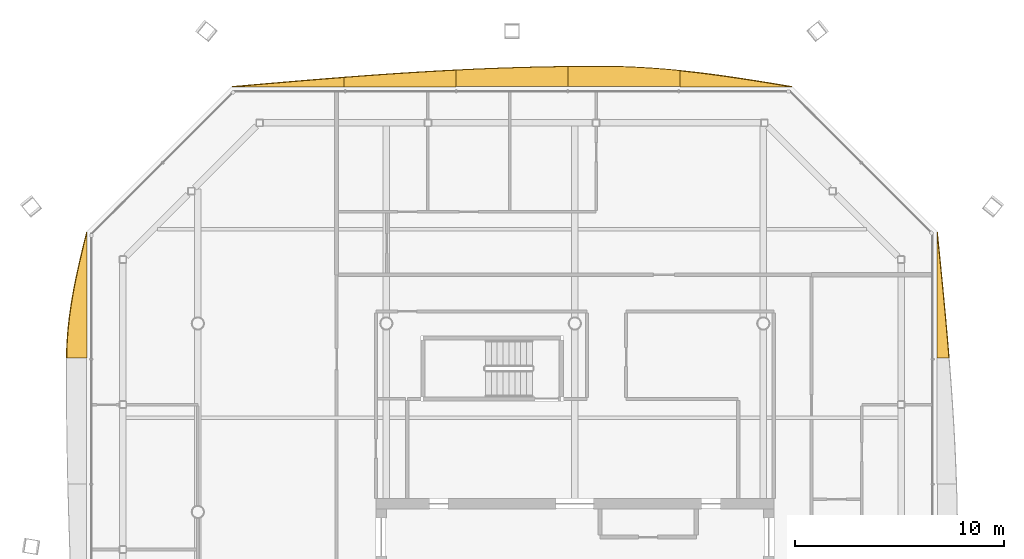
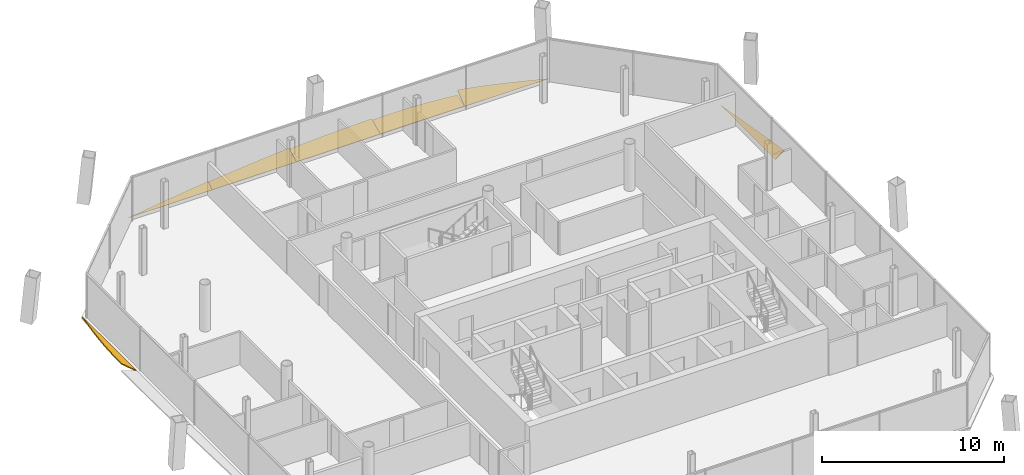
# One storey, part 20 of 20: 7 shading devices.
"""IFC4 building model written with IfcOpenShell, lengths in metres."""

import ifcopenshell
import ifcopenshell.guid

model = None  # the IFC model being written
_history = None  # IfcOwnerHistory: only IFC2X3 demands one
_inside = {}  # id of a spatial element -> (the spatial element, [elements in it])
_under = {}  # id of a project, library or spatial element -> (it, [spatial elements below it])
_declared = {}  # id of a project -> (the project, [libraries it declares])
_typed = {}  # id of a type object -> (the type object, [elements of that type])
_made_of = {}  # id of a material, layer set ... -> (it, [elements and type objects made of it])


def new_model(schema):
    """Start an empty IFC model of exactly this schema.

    Asked for "IFC4X3", IfcOpenShell would pick the latest addendum, in which some entities
    have other attributes; the version numbers below select the first issue.
    IFC2X3 requires an IfcOwnerHistory on every rooted entity: one is made here for all.
    """
    global model, _history
    if schema == "IFC4X3":
        model = ifcopenshell.file(schema_version=(4, 3, 0, 0))
    else:
        model = ifcopenshell.file(schema=schema)
    _inside.clear()
    _under.clear()
    _declared.clear()
    _typed.clear()
    _made_of.clear()
    _history = None
    if model.schema == "IFC2X3":
        org = make("IfcOrganization", Name="unknown")
        user = make(
            "IfcPersonAndOrganization",
            ThePerson=make("IfcPerson", FamilyName="unknown"),
            TheOrganization=org,
        )
        app = make(
            "IfcApplication",
            ApplicationDeveloper=org,
            Version="unknown",
            ApplicationFullName="unknown",
            ApplicationIdentifier="unknown",
        )
        _history = make(
            "IfcOwnerHistory",
            OwningUser=user,
            OwningApplication=app,
            ChangeAction="ADDED",
            CreationDate=0,
        )
    return model


def make(cls, **values):
    """One entity of the class cls with the attributes given. An attribute that is None is left unset."""
    return model.create_entity(
        cls, **{name: value for name, value in values.items() if value is not None}
    )


def rooted(cls, **values):
    """An entity with a GlobalId (a new one), such as an element, a storey or a relation."""
    return make(cls, GlobalId=ifcopenshell.guid.new(), OwnerHistory=_history, **values)


def si_unit(unit_type, name, prefix=None):
    """IfcSIUnit, for example si_unit("LENGTHUNIT", "METRE", prefix="MILLI")."""
    return make("IfcSIUnit", UnitType=unit_type, Prefix=prefix, Name=name)


def assignment(units):
    """IfcUnitAssignment: the units of a project."""
    return None if units is None else make("IfcUnitAssignment", Units=units)


def point(xyz):
    """IfcCartesianPoint."""
    return None if xyz is None else make("IfcCartesianPoint", Coordinates=xyz)


def direction(xyz):
    """IfcDirection."""
    return None if xyz is None else make("IfcDirection", DirectionRatios=xyz)


def frame(location, z_axis=None, x_axis=None):
    """IfcAxis2Placement3D, a coordinate frame: its origin and axes. An axis left out is left unset."""
    return make(
        "IfcAxis2Placement3D",
        Location=point(location),
        Axis=direction(z_axis),
        RefDirection=direction(x_axis),
    )


def origin():
    """The frame at (0, 0, 0) with its axes left unset."""
    return frame((0.0, 0.0, 0.0))


def place(relative_to, where):
    """IfcLocalPlacement: puts the frame where relative to a parent placement (None: the world)."""
    return make(
        "IfcLocalPlacement", PlacementRelTo=relative_to, RelativePlacement=where
    )


def context(
    kind, dimensions, precision=None, world=None, true_north=None, identifier=None
):
    """IfcGeometricRepresentationContext, for example the 3D "Model" context."""
    return make(
        "IfcGeometricRepresentationContext",
        ContextIdentifier=identifier,
        ContextType=kind,
        CoordinateSpaceDimension=dimensions,
        Precision=precision,
        WorldCoordinateSystem=world,
        TrueNorth=true_north,
    )


def subcontext(parent, identifier, kind, view, scale=None):
    """IfcGeometricRepresentationSubContext, for example "Body" below "Model"."""
    return make(
        "IfcGeometricRepresentationSubContext",
        ContextIdentifier=identifier,
        ContextType=kind,
        ParentContext=parent,
        TargetScale=scale,
        TargetView=view,
    )


def project(units=None, contexts=None):
    """IfcProject with its units and contexts."""
    return rooted(
        "IfcProject",
        Name="project",
        RepresentationContexts=contexts,
        UnitsInContext=assignment(units),
    )


def spatial(cls, under=None, at=None, **own):
    """A site, building, storey or space (cls), placed at a placement, below another one or the project."""
    s = rooted(cls, ObjectPlacement=at, **own)
    if under is not None:
        _under.setdefault(under.id(), (under, []))[1].append(s)
    return s


def polyline(points):
    """IfcPolyline through the points."""
    return make("IfcPolyline", Points=[point(p) for p in points])


def outline(outer, holes=None, kind="AREA"):
    """IfcArbitraryClosedProfileDef: a profile drawn as a closed curve; with holes, ...WithVoids."""
    if holes is None:
        return make("IfcArbitraryClosedProfileDef", ProfileType=kind, OuterCurve=outer)
    return make(
        "IfcArbitraryProfileDefWithVoids",
        ProfileType=kind,
        OuterCurve=outer,
        InnerCurves=holes,
    )


def extrude(swept, where, along, depth):
    """IfcExtrudedAreaSolid: the profile swept, set in the frame where, extruded along a direction by depth."""
    return make(
        "IfcExtrudedAreaSolid",
        SweptArea=swept,
        Position=where,
        ExtrudedDirection=direction(along),
        Depth=depth,
    )


def shape(context_of_items, identifier, shape_type, items):
    """IfcShapeRepresentation: the items that make up one representation, for example the "Body"."""
    return make(
        "IfcShapeRepresentation",
        ContextOfItems=context_of_items,
        RepresentationIdentifier=identifier,
        RepresentationType=shape_type,
        Items=items,
    )


def material(Name=None, Category=None):
    """IfcMaterial."""
    return make("IfcMaterial", Name=Name, Category=Category)


def layer(
    of_material, thickness, ventilated=None, Name=None, Category=None, Priority=None
):
    """IfcMaterialLayer: one layer of a wall or slab, of a material (None: an air gap)."""
    return make(
        "IfcMaterialLayer",
        Material=of_material,
        LayerThickness=thickness,
        IsVentilated=ventilated,
        Name=Name,
        Category=Category,
        Priority=Priority,
    )


def layer_set(layers, Name=None):
    """IfcMaterialLayerSet."""
    return make("IfcMaterialLayerSet", MaterialLayers=layers, LayerSetName=Name)


def made_of(thing, what):
    """Note that an element or type object is made of a material, layer set ...; save() writes the relation."""
    if what is not None:
        _made_of.setdefault(what.id(), (what, []))[1].append(thing)
    return thing


def type_object(cls, material=None, **own):
    """A type object (cls), such as IfcWallType, which elements share."""
    return made_of(rooted(cls, **own), material)


def element(
    cls,
    number,
    at=None,
    inside=None,
    cuts=None,
    type_object=None,
    material=None,
    context=None,
    identifier="Body",
    shape_type=None,
    held_by="IfcProductDefinitionShape",
    body=None,
    shapes=None,
    **own,
):
    """One element of the class cls, such as IfcWall. Its Tag is "e" and its number.

    at: its placement. inside: the storey or other place that contains it. cuts: it is an
    opening in that element (IfcRelVoidsElement). A single representation is given by context,
    identifier, shape_type and body (its items); several are given by shapes. held_by: the class
    of the entity that holds the representations. save() writes the other relations.
    """
    e = rooted(cls, Tag="e%d" % number, ObjectPlacement=at, **own)
    if body is not None:
        shapes = [shape(context, identifier, shape_type, body)]
    if shapes is not None:
        e.Representation = make(held_by, Representations=shapes)
    if inside is not None:
        _inside.setdefault(inside.id(), (inside, []))[1].append(e)
    if cuts is not None:
        rooted(
            "IfcRelVoidsElement", RelatingBuildingElement=cuts, RelatedOpeningElement=e
        )
    if type_object is not None:
        _typed.setdefault(type_object.id(), (type_object, []))[1].append(e)
    return made_of(e, material)


def aggregate(whole, parts):
    """IfcRelAggregates: a whole, such as a stair, and the parts it consists of."""
    return rooted("IfcRelAggregates", RelatingObject=whole, RelatedObjects=parts)


def save(model, path):
    """Write the relations noted so far, then the file.

    IfcRelAggregates (storeys below a building ...), IfcRelContainedInSpatialStructure (elements
    in a storey), IfcRelDefinesByType, IfcRelAssociatesMaterial and IfcRelDeclares: one each for
    every whole, place, type object, material and project.
    """
    for whole, parts in _under.values():
        aggregate(whole, parts)
    for where, things in _inside.values():
        rooted(
            "IfcRelContainedInSpatialStructure",
            RelatedElements=things,
            RelatingStructure=where,
        )
    for kind, things in _typed.values():
        rooted("IfcRelDefinesByType", RelatedObjects=things, RelatingType=kind)
    for what, things in _made_of.values():
        rooted("IfcRelAssociatesMaterial", RelatedObjects=things, RelatingMaterial=what)
    for by, libraries in _declared.values():
        rooted("IfcRelDeclares", RelatingContext=by, RelatedDefinitions=libraries)
    model.write(path)


model = new_model("IFC4")

# Units and contexts
model_context = context("Model", 3, precision=1e-05, world=origin(), true_north=direction((0.0, 1.0)))
body_context = subcontext(model_context, "Body", "Model", "MODEL_VIEW")
ifc_project = project(units=[si_unit("LENGTHUNIT", "METRE"), si_unit("AREAUNIT", "SQUARE_METRE"), si_unit("VOLUMEUNIT", "CUBIC_METRE"), si_unit("PLANEANGLEUNIT", "RADIAN"), si_unit("MASSUNIT", "GRAM", prefix="KILO")], contexts=[model_context])

# Site, building, storey
site_placement = place(None, origin())
site = spatial("IfcSite", under=ifc_project, at=site_placement, CompositionType="ELEMENT")
building_placement = place(site_placement, origin())
building = spatial("IfcBuilding", under=site, at=building_placement, Name="Tskaro Facet Tower", CompositionType="ELEMENT")
storey_placement = place(building_placement, frame((0.0, 0.0, 194.25)))
storey = spatial("IfcBuildingStorey", under=building, at=storey_placement, Name="L49", CompositionType="ELEMENT", Elevation=194.25)

# Shading devices
ifc_material = material(Name="Bronze anodised aluminium 6063-T6", Category="aluminium")
ifc_layer = layer(ifc_material, 0.06005859375, Name="Bronze anodised aluminium 6063-T6")
ifc_layer_set = layer_set([ifc_layer], Name="Bronze anodised aluminium 6063-T6")
shading_device_type = type_object("IfcShadingDeviceType", Name="Bronze sun blade (FN1)", PredefinedType="USERDEFINED", material=ifc_layer_set)
shading_device_1_placement = place(storey_placement, frame((17.295654296875, 7.354736328125, 0.049072265625), z_axis=(-0.573841057977, -2.0393336e-05, 0.818966690265), x_axis=(-1.1702534e-05, 0.999999999792, 1.6701463e-05)))
element("IfcShadingDevice", 1, at=shading_device_1_placement, inside=storey, type_object=shading_device_type, Name="Fin blade east 5", ObjectType="FIN", PredefinedType="USERDEFINED", context=body_context, shape_type="SweptSolid", body=[
    extrude(outline(polyline([(0.0, 0.0), (6.019287108123325, 0.0), (5.35034179866507, -0.08148324942465533), (4.6816406257542615, -0.16282640093473635), (4.012939453259633, -0.24328952749669747), (3.3439941393357926, -0.32253258815630725), (2.6752929680897037, -0.4003556398739086), (2.0063476558305857, -0.4760786007410387), (1.3376464838083348, -0.5497014707576976), (0.66894530895712, -0.6205441680154224), (-2.4134392083086033e-09, -0.6885468473891304), (0.0, 0.0)])), origin(), (0.0, 0.0, -1.0), 0.06005859375),
])
shading_device_2_placement = place(storey_placement, frame((10.3740234375, 20.29150390625, 0.0458984375), z_axis=(-9.335401e-06, -0.642926786331, 0.765927638443), x_axis=(-0.999999999956, 6.001979e-06, -7.150242e-06)))
element("IfcShadingDevice", 2, at=shading_device_2_placement, inside=storey, type_object=shading_device_type, Name="Fin blade north 1", ObjectType="FIN", PredefinedType="USERDEFINED", context=body_context, shape_type="SweptSolid", body=[
    extrude(outline(polyline([(0.0, 0.0), (5.349609374766891, 4.5312953955654856e-21), (5.349609375226777, -1.001794782750605), (4.68090820284925, -0.9071733768836879), (4.012207032115887, -0.800610325560932), (3.343505858414009, -0.6837953922764923), (2.67480468704425, -0.5581644704394454), (2.006103515419932, -0.4249064003966819), (1.3374023447896843, -0.28645892185180694), (0.6687011708211663, -0.14416783969916233), (0.0, 0.0)])), origin(), (0.0, 0.0, -1.0), 0.06005859375),
])
shading_device_3_placement = place(storey_placement, frame((5.0244140625, 20.3095703125, 0.056396484375), z_axis=(-4.763813e-06, -0.341984665241, 0.939705532982), x_axis=(-0.999999999989, 1.629151e-06, -4.476582e-06)))
element("IfcShadingDevice", 3, at=shading_device_3_placement, inside=storey, type_object=shading_device_type, Name="Fin blade north 2", ObjectType="FIN", PredefinedType="USERDEFINED", context=body_context, shape_type="SweptSolid", body=[
    extrude(outline(polyline([(0.0, 0.0), (5.349609374939298, 0.0), (5.349609374999003, -1.0223299103900079), (4.680908203238901, -1.0288168489427483), (4.012207031374988, -1.0316744415999506), (3.8518066407518075, -1.0316744415999506), (3.343505859006023, -1.0278156754082717), (2.674804687515354, -1.0108995397611986), (2.006103515412323, -0.9807801067125038), (1.3374023438901554, -0.93814563715061), (0.6687011718559364, -0.88307962342543), (-1.9228183058872198e-10, -0.8165832390714408), (0.0, 0.0)])), origin(), (0.0, 0.0, -1.0), 0.06005859375),
])
shading_device_4_placement = place(storey_placement, frame((-0.3251953125, 20.3046875, 0.054443359375), z_axis=(-4.637913e-06, -0.422549154966, 0.906340008836), x_axis=(-0.999999999989, 1.959746e-06, -4.203526e-06)))
element("IfcShadingDevice", 4, at=shading_device_4_placement, inside=storey, type_object=shading_device_type, Name="Fin blade north 3", ObjectType="FIN", PredefinedType="USERDEFINED", context=body_context, shape_type="SweptSolid", body=[
    extrude(outline(polyline([(0.0, 0.0), (5.349609374942465, -1.1328238488913714e-21), (5.349609375215215, -0.874885685877662), (4.680908203423497, -0.9101654807047949), (4.0122070310215925, -0.942274175463325), (3.343505859583549, -0.9707841729074553), (2.674804687056867, -0.9959017958667609), (2.006103515494047, -1.0174207215116666), (1.337402343868838, -1.0354441112569597), (0.6687011717027873, -1.0497506906864187), (2.214527771602574e-11, -1.0602372983852557), (0.0, 0.0)])), origin(), (0.0, 0.0, -1.0), 0.06005859375),
])
shading_device_5_placement = place(storey_placement, frame((-5.6748046875, 20.300048828125, 0.052001953125), z_axis=(-7.040493e-06, -0.499938508571, 0.866060902938), x_axis=(-0.999999999975, 3.519814e-06, -6.097496e-06)))
element("IfcShadingDevice", 5, at=shading_device_5_placement, inside=storey, type_object=shading_device_type, Name="Fin blade north 4", ObjectType="FIN", PredefinedType="USERDEFINED", context=body_context, shape_type="SweptSolid", body=[
    extrude(outline(polyline([(0.0, 0.0), (5.349609374867414, 0.0), (5.349609375429754, -0.5158267864942281), (4.680908202814961, -0.5742416370661689), (4.012207030998777, -0.6308996225375015), (3.3435058588918585, -0.6850443656578686), (2.6748046873535367, -0.7368873070774069), (2.006103516153799, -0.7858835101958961), (1.337402343803998, -0.832155030313283), (0.6687011717927808, -0.8755798121296208), (-1.0986532590344947e-10, -0.9156129190446889), (0.0, 0.0)])), origin(), (0.0, 0.0, -1.0), 0.06005859375),
])
shading_device_6_placement = place(storey_placement, frame((-11.0244140625, 20.295654296875, 0.049072265625), z_axis=(8.897996e-06, -0.57383068244, 0.818973960399), x_axis=(-0.99999999996, -5.105943e-06, 7.287227e-06)))
element("IfcShadingDevice", 6, at=shading_device_6_placement, inside=storey, type_object=shading_device_type, Name="Fin blade north 5", ObjectType="FIN", PredefinedType="USERDEFINED", context=body_context, shape_type="SweptSolid", body=[
    extrude(outline(polyline([(0.0, 0.0), (5.3496093747882245, 0.0), (4.680908204614109, -0.070782849754265), (4.012207030881776, -0.1412855087456087), (3.343505859642582, -0.21138827810783561), (2.6748046873383062, -0.28081096707802444), (2.006103514682979, -0.34901359064559784), (1.337402343455708, -0.41613624419201645), (0.668701171344845, -0.48169879213980044), (-4.0304193086289496e-10, -0.5455012896743916), (0.0, 0.0)])), origin(), (0.0, 0.0, -1.0), 0.06005859375),
])
shading_device_7_placement = place(storey_placement, frame((-23.29150390625, 13.3740234375, 0.0458984375), z_axis=(0.64287718458, -1.479607e-05, 0.765969271791), x_axis=(-9.512056e-06, -0.999999999891, -1.1333335e-05)))
element("IfcShadingDevice", 7, at=shading_device_7_placement, inside=storey, type_object=shading_device_type, Name="Fin blade west 1", ObjectType="FIN", PredefinedType="USERDEFINED", context=body_context, shape_type="SweptSolid", body=[
    extrude(outline(polyline([(0.0, 0.0), (6.019287108716118, -5.098534500623724e-21), (6.019287110096334, -1.2643403928777797), (5.35034179529469, -1.236426493853259), (4.681640625758484, -1.173188601844526), (4.012939453550295, -1.076316448344598), (3.3439941395771724, -0.9485917383679829), (2.6752929680540647, -0.7936710944548047), (2.0063476570398047, -0.6160560048916963), (1.337646483881545, -0.420748867057374), (0.6689453110183524, -0.21331309098085338), (0.0, 0.0)])), origin(), (0.0, 0.0, -1.0), 0.06005859375),
])

save(model, "model.ifc")
